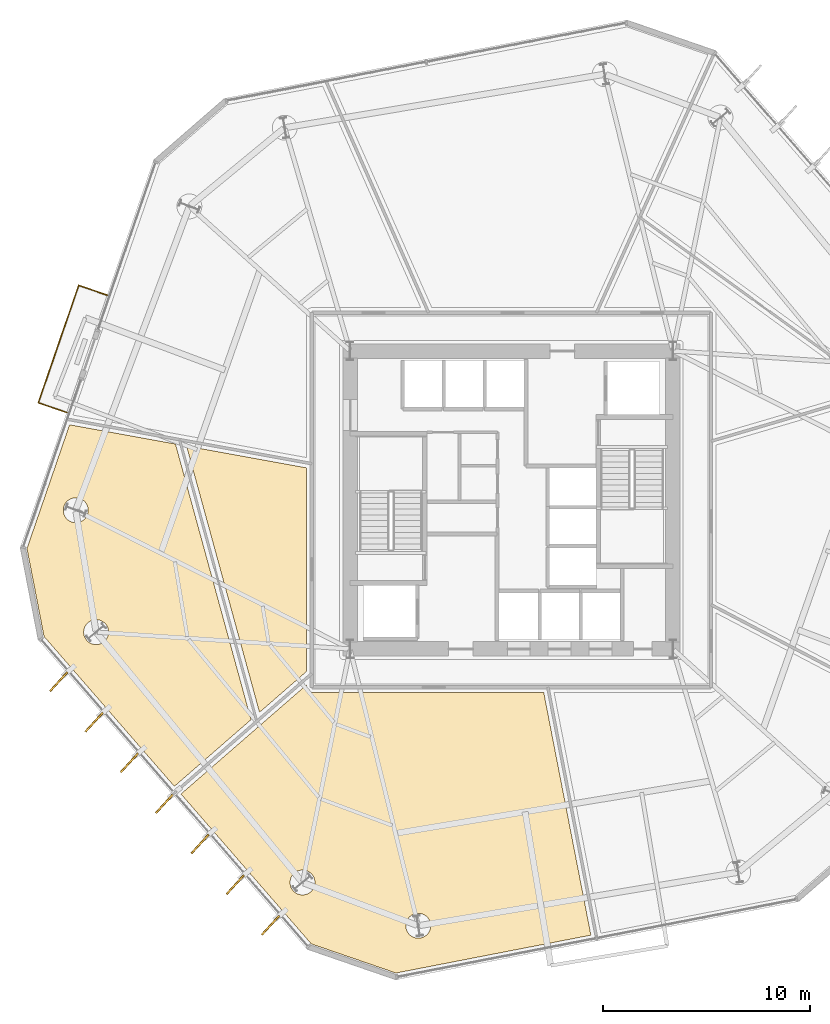
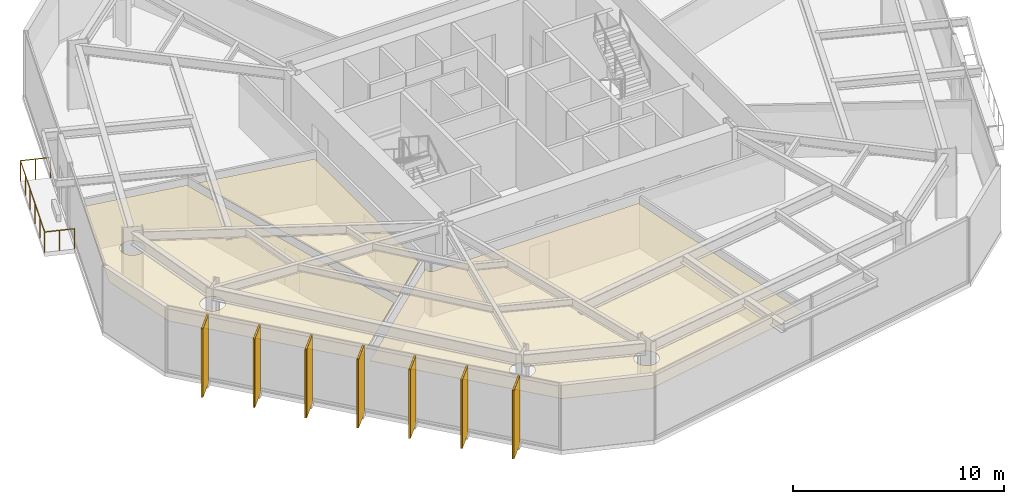
# One storey, part 8 of 10: 10 coverings, 7 shading devices, 1 railing.
"""IFC4 building model written with IfcOpenShell, lengths in metres."""

import ifcopenshell
import ifcopenshell.guid

model = None  # the IFC model being written
_history = None  # IfcOwnerHistory: only IFC2X3 demands one
_inside = {}  # id of a spatial element -> (the spatial element, [elements in it])
_under = {}  # id of a project, library or spatial element -> (it, [spatial elements below it])
_declared = {}  # id of a project -> (the project, [libraries it declares])
_typed = {}  # id of a type object -> (the type object, [elements of that type])
_made_of = {}  # id of a material, layer set ... -> (it, [elements and type objects made of it])


def new_model(schema):
    """Start an empty IFC model of exactly this schema.

    Asked for "IFC4X3", IfcOpenShell would pick the latest addendum, in which some entities
    have other attributes; the version numbers below select the first issue.
    IFC2X3 requires an IfcOwnerHistory on every rooted entity: one is made here for all.
    """
    global model, _history
    if schema == "IFC4X3":
        model = ifcopenshell.file(schema_version=(4, 3, 0, 0))
    else:
        model = ifcopenshell.file(schema=schema)
    _inside.clear()
    _under.clear()
    _declared.clear()
    _typed.clear()
    _made_of.clear()
    _history = None
    if model.schema == "IFC2X3":
        org = make("IfcOrganization", Name="unknown")
        user = make(
            "IfcPersonAndOrganization",
            ThePerson=make("IfcPerson", FamilyName="unknown"),
            TheOrganization=org,
        )
        app = make(
            "IfcApplication",
            ApplicationDeveloper=org,
            Version="unknown",
            ApplicationFullName="unknown",
            ApplicationIdentifier="unknown",
        )
        _history = make(
            "IfcOwnerHistory",
            OwningUser=user,
            OwningApplication=app,
            ChangeAction="ADDED",
            CreationDate=0,
        )
    return model


def make(cls, **values):
    """One entity of the class cls with the attributes given. An attribute that is None is left unset."""
    return model.create_entity(
        cls, **{name: value for name, value in values.items() if value is not None}
    )


def rooted(cls, **values):
    """An entity with a GlobalId (a new one), such as an element, a storey or a relation."""
    return make(cls, GlobalId=ifcopenshell.guid.new(), OwnerHistory=_history, **values)


def si_unit(unit_type, name, prefix=None):
    """IfcSIUnit, for example si_unit("LENGTHUNIT", "METRE", prefix="MILLI")."""
    return make("IfcSIUnit", UnitType=unit_type, Prefix=prefix, Name=name)


def assignment(units):
    """IfcUnitAssignment: the units of a project."""
    return None if units is None else make("IfcUnitAssignment", Units=units)


def point(xyz):
    """IfcCartesianPoint."""
    return None if xyz is None else make("IfcCartesianPoint", Coordinates=xyz)


def direction(xyz):
    """IfcDirection."""
    return None if xyz is None else make("IfcDirection", DirectionRatios=xyz)


def frame(location, z_axis=None, x_axis=None):
    """IfcAxis2Placement3D, a coordinate frame: its origin and axes. An axis left out is left unset."""
    return make(
        "IfcAxis2Placement3D",
        Location=point(location),
        Axis=direction(z_axis),
        RefDirection=direction(x_axis),
    )


def frame_2d(location, x_axis=None):
    """IfcAxis2Placement2D, a coordinate frame in the plane: its origin and x axis."""
    return make(
        "IfcAxis2Placement2D", Location=point(location), RefDirection=direction(x_axis)
    )


def origin():
    """The frame at (0, 0, 0) with its axes left unset."""
    return frame((0.0, 0.0, 0.0))


def origin_2d():
    """The frame at (0, 0) in the plane with its x axis left unset."""
    return frame_2d((0.0, 0.0))


def place(relative_to, where):
    """IfcLocalPlacement: puts the frame where relative to a parent placement (None: the world)."""
    return make(
        "IfcLocalPlacement", PlacementRelTo=relative_to, RelativePlacement=where
    )


def context(
    kind, dimensions, precision=None, world=None, true_north=None, identifier=None
):
    """IfcGeometricRepresentationContext, for example the 3D "Model" context."""
    return make(
        "IfcGeometricRepresentationContext",
        ContextIdentifier=identifier,
        ContextType=kind,
        CoordinateSpaceDimension=dimensions,
        Precision=precision,
        WorldCoordinateSystem=world,
        TrueNorth=true_north,
    )


def subcontext(parent, identifier, kind, view, scale=None):
    """IfcGeometricRepresentationSubContext, for example "Body" below "Model"."""
    return make(
        "IfcGeometricRepresentationSubContext",
        ContextIdentifier=identifier,
        ContextType=kind,
        ParentContext=parent,
        TargetScale=scale,
        TargetView=view,
    )


def project(units=None, contexts=None):
    """IfcProject with its units and contexts."""
    return rooted(
        "IfcProject",
        Name="project",
        RepresentationContexts=contexts,
        UnitsInContext=assignment(units),
    )


def spatial(cls, under=None, at=None, **own):
    """A site, building, storey or space (cls), placed at a placement, below another one or the project."""
    s = rooted(cls, ObjectPlacement=at, **own)
    if under is not None:
        _under.setdefault(under.id(), (under, []))[1].append(s)
    return s


def polyline(points):
    """IfcPolyline through the points."""
    return make("IfcPolyline", Points=[point(p) for p in points])


def profile(cls, at=None, kind="AREA", **sizes):
    """A parametric profile (cls). Its sizes go by their IFC names, for example OverallWidth=200.0."""
    return make(cls, ProfileType=kind, Position=at, **sizes)


def rectangle(**sizes):
    """IfcRectangleProfileDef."""
    return profile("IfcRectangleProfileDef", **sizes)


def circle(**sizes):
    """IfcCircleProfileDef."""
    return profile("IfcCircleProfileDef", **sizes)


def outline(outer, holes=None, kind="AREA"):
    """IfcArbitraryClosedProfileDef: a profile drawn as a closed curve; with holes, ...WithVoids."""
    if holes is None:
        return make("IfcArbitraryClosedProfileDef", ProfileType=kind, OuterCurve=outer)
    return make(
        "IfcArbitraryProfileDefWithVoids",
        ProfileType=kind,
        OuterCurve=outer,
        InnerCurves=holes,
    )


def extrude(swept, where, along, depth):
    """IfcExtrudedAreaSolid: the profile swept, set in the frame where, extruded along a direction by depth."""
    return make(
        "IfcExtrudedAreaSolid",
        SweptArea=swept,
        Position=where,
        ExtrudedDirection=direction(along),
        Depth=depth,
    )


def shape(context_of_items, identifier, shape_type, items):
    """IfcShapeRepresentation: the items that make up one representation, for example the "Body"."""
    return make(
        "IfcShapeRepresentation",
        ContextOfItems=context_of_items,
        RepresentationIdentifier=identifier,
        RepresentationType=shape_type,
        Items=items,
    )


def material(Name=None, Category=None):
    """IfcMaterial."""
    return make("IfcMaterial", Name=Name, Category=Category)


def layer(
    of_material, thickness, ventilated=None, Name=None, Category=None, Priority=None
):
    """IfcMaterialLayer: one layer of a wall or slab, of a material (None: an air gap)."""
    return make(
        "IfcMaterialLayer",
        Material=of_material,
        LayerThickness=thickness,
        IsVentilated=ventilated,
        Name=Name,
        Category=Category,
        Priority=Priority,
    )


def layer_set(layers, Name=None):
    """IfcMaterialLayerSet."""
    return make("IfcMaterialLayerSet", MaterialLayers=layers, LayerSetName=Name)


def made_of(thing, what):
    """Note that an element or type object is made of a material, layer set ...; save() writes the relation."""
    if what is not None:
        _made_of.setdefault(what.id(), (what, []))[1].append(thing)
    return thing


def type_object(cls, material=None, **own):
    """A type object (cls), such as IfcWallType, which elements share."""
    return made_of(rooted(cls, **own), material)


def element(
    cls,
    number,
    at=None,
    inside=None,
    cuts=None,
    type_object=None,
    material=None,
    context=None,
    identifier="Body",
    shape_type=None,
    held_by="IfcProductDefinitionShape",
    body=None,
    shapes=None,
    **own,
):
    """One element of the class cls, such as IfcWall. Its Tag is "e" and its number.

    at: its placement. inside: the storey or other place that contains it. cuts: it is an
    opening in that element (IfcRelVoidsElement). A single representation is given by context,
    identifier, shape_type and body (its items); several are given by shapes. held_by: the class
    of the entity that holds the representations. save() writes the other relations.
    """
    e = rooted(cls, Tag="e%d" % number, ObjectPlacement=at, **own)
    if body is not None:
        shapes = [shape(context, identifier, shape_type, body)]
    if shapes is not None:
        e.Representation = make(held_by, Representations=shapes)
    if inside is not None:
        _inside.setdefault(inside.id(), (inside, []))[1].append(e)
    if cuts is not None:
        rooted(
            "IfcRelVoidsElement", RelatingBuildingElement=cuts, RelatedOpeningElement=e
        )
    if type_object is not None:
        _typed.setdefault(type_object.id(), (type_object, []))[1].append(e)
    return made_of(e, material)


def aggregate(whole, parts):
    """IfcRelAggregates: a whole, such as a stair, and the parts it consists of."""
    return rooted("IfcRelAggregates", RelatingObject=whole, RelatedObjects=parts)


def save(model, path):
    """Write the relations noted so far, then the file.

    IfcRelAggregates (storeys below a building ...), IfcRelContainedInSpatialStructure (elements
    in a storey), IfcRelDefinesByType, IfcRelAssociatesMaterial and IfcRelDeclares: one each for
    every whole, place, type object, material and project.
    """
    for whole, parts in _under.values():
        aggregate(whole, parts)
    for where, things in _inside.values():
        rooted(
            "IfcRelContainedInSpatialStructure",
            RelatedElements=things,
            RelatingStructure=where,
        )
    for kind, things in _typed.values():
        rooted("IfcRelDefinesByType", RelatedObjects=things, RelatingType=kind)
    for what, things in _made_of.values():
        rooted("IfcRelAssociatesMaterial", RelatedObjects=things, RelatingMaterial=what)
    for by, libraries in _declared.values():
        rooted("IfcRelDeclares", RelatingContext=by, RelatedDefinitions=libraries)
    model.write(path)


model = new_model("IFC4")

# Units and contexts
model_context = context("Model", 3, precision=1e-05, world=origin(), true_north=direction((0.0, 1.0)))
body_context = subcontext(model_context, "Body", "Model", "MODEL_VIEW")
ifc_project = project(units=[si_unit("LENGTHUNIT", "METRE"), si_unit("AREAUNIT", "SQUARE_METRE"), si_unit("VOLUMEUNIT", "CUBIC_METRE"), si_unit("PLANEANGLEUNIT", "RADIAN"), si_unit("MASSUNIT", "GRAM", prefix="KILO")], contexts=[model_context])

# Site, building, storey
site_placement = place(None, origin())
site = spatial("IfcSite", under=ifc_project, at=site_placement, CompositionType="ELEMENT")
building_placement = place(site_placement, origin())
building = spatial("IfcBuilding", under=site, at=building_placement, Name="Kranzbogen Civic Tower", CompositionType="ELEMENT")
storey_placement = place(building_placement, frame((0.0, 0.0, 64.0)))
storey = spatial("IfcBuildingStorey", under=building, at=storey_placement, Name="L15", CompositionType="ELEMENT", Elevation=64.0)

# Coverings
ifc_material_1 = material(Name="Pale Anodised Aluminium", Category="aluminium")
ifc_layer_1 = layer(ifc_material_1, 0.02490234375, Name="Pale Anodised Aluminium")
ifc_layer_set_1 = layer_set([ifc_layer_1], Name="Pale Anodised Aluminium")
covering_type_1 = type_object("IfcCoveringType", Name="Anodised Aluminium Vertical Fin Cladding 25 mm", PredefinedType="CLADDING", material=ifc_layer_set_1)
for number, where, z_axis, x_axis, name in (
    (1, (3.1220703125, 16.221923828125, -0.139892578125), (0.0, 0.0, 1.0), (-0.674624535311, -0.738161050419, 0.0), "L15 vertical fin pale-metal cladding F4-1"),
    (2, (4.827880859375, 14.259033203125, -0.139892578125), (0.0, 0.0, 1.0), (-0.674624535311, -0.738161050419, 0.0), "L15 vertical fin pale-metal cladding F4-2"),
    (3, (6.532958984375, 12.297119140625, -0.139892578125), (0.0, 0.0, 1.0), (-0.674624535311, -0.738161050419, 0.0), "L15 vertical fin pale-metal cladding F4-3"),
    (4, (8.239013671875, 10.3349609375, -0.139892578125), (0.0, 0.0, 1.0), (-0.674624535311, -0.738161050419, 0.0), "L15 vertical fin pale-metal cladding F4-4"),
    (5, (9.945068359375, 8.373046875, -0.139892578125), (0.0, 0.0, 1.0), (-0.674624535311, -0.738161050419, 0.0), "L15 vertical fin pale-metal cladding F4-5"),
    (6, (11.65087890625, 6.409912109375, -0.139892578125), (0.0, 0.0, 1.0), (-0.674624535311, -0.738161050419, 0.0), "L15 vertical fin pale-metal cladding F4-6"),
    (7, (13.35595703125, 4.447998046875, -0.139892578125), (0.0, 0.0, 1.0), (-0.674624535311, -0.738161050419, 0.0), "L15 vertical fin pale-metal cladding F4-7"),
):
    element("IfcCovering", number, at=place(storey_placement, frame(where, z_axis=z_axis, x_axis=x_axis)), inside=storey, type_object=covering_type_1, Name=name, PredefinedType="CLADDING", context=body_context, shape_type="SweptSolid", body=[
        extrude(rectangle(XDim=1.25, YDim=0.10009765625, at=origin_2d()), origin(), (0.0, 0.0, 1.0), 3.9599609375),
    ])

# Shading devices
ifc_material_2 = material(Name="Anodised Bronze Aluminium", Category="aluminium")
shading_device_type = type_object("IfcShadingDeviceType", Name="Anodised Bronze Vertical Facade Fin 1250x80", PredefinedType="USERDEFINED", material=ifc_material_2)
for number, where, z_axis, x_axis, name in (
    (8, (3.1220703125, 16.221923828125, -0.139892578125), (0.0, 0.0, 1.0), (-0.674624535311, -0.738161050419, 0.0), "L15 vertical exterior shading fin F4-1"),
    (9, (4.827880859375, 14.259033203125, -0.139892578125), (0.0, 0.0, 1.0), (-0.674624535311, -0.738161050419, 0.0), "L15 vertical exterior shading fin F4-2"),
    (10, (6.532958984375, 12.297119140625, -0.139892578125), (0.0, 0.0, 1.0), (-0.674624535311, -0.738161050419, 0.0), "L15 vertical exterior shading fin F4-3"),
    (11, (8.239013671875, 10.3349609375, -0.139892578125), (0.0, 0.0, 1.0), (-0.674624535311, -0.738161050419, 0.0), "L15 vertical exterior shading fin F4-4"),
    (12, (9.945068359375, 8.373046875, -0.139892578125), (0.0, 0.0, 1.0), (-0.674624535311, -0.738161050419, 0.0), "L15 vertical exterior shading fin F4-5"),
    (13, (11.65087890625, 6.409912109375, -0.139892578125), (0.0, 0.0, 1.0), (-0.674624535311, -0.738161050419, 0.0), "L15 vertical exterior shading fin F4-6"),
    (14, (13.35595703125, 4.447998046875, -0.139892578125), (0.0, 0.0, 1.0), (-0.674624535311, -0.738161050419, 0.0), "L15 vertical exterior shading fin F4-7"),
):
    element("IfcShadingDevice", number, at=place(storey_placement, frame(where, z_axis=z_axis, x_axis=x_axis)), inside=storey, type_object=shading_device_type, Name=name, ObjectType="FIN", PredefinedType="USERDEFINED", context=body_context, shape_type="SweptSolid", body=[
        extrude(rectangle(XDim=1.25, YDim=0.080078125, at=origin_2d()), origin(), (0.0, 0.0, 1.0), 3.9599609375),
    ])

# Railing
railing_type = type_object("IfcRailingType", Name="Cantilevered Balcony Glass and Bronze Balustrade 1200", PredefinedType="BALUSTRADE", material=ifc_material_2)
railing_placement = place(storey_placement, frame((5.458984375, 34.90087890625, 0.0)))
element("IfcRailing", 15, at=railing_placement, inside=storey, type_object=railing_type, Name="L15 exterior terrace balustrade L15-TB2", PredefinedType="BALUSTRADE", context=body_context, shape_type="SweptSolid", body=[
    extrude(circle(Radius=0.02392578125, at=origin_2d()), frame((0.0, 0.0, 1.17578125), z_axis=(-0.945505300908, 0.325606704408, 0.0), x_axis=(-0.325606704408, -0.945505300908, 0.0)), (0.0, 0.0, 1.0), 1.4501953125),
    extrude(circle(Radius=0.02392578125, at=origin_2d()), frame((-1.37109375, 0.47216796875, 1.17578125), z_axis=(-0.325490276497, -0.945545387544, 0.0), x_axis=(0.945545387544, -0.325490276497, 0.0)), (0.0, 0.0, 1.0), 5.999755859375),
    extrude(circle(Radius=0.02392578125, at=origin_2d()), frame((-3.323974609375, -5.200927734375, 1.17578125), z_axis=(0.945557123315, -0.325456182224, 0.0), x_axis=(0.325456182224, 0.945557123315, 0.0)), (0.0, 0.0, 1.0), 1.449951171875),
    extrude(circle(Radius=0.02099609375, at=origin_2d()), origin(), (0.0, 0.0, 1.0), 1.15185546875),
    extrude(circle(Radius=0.02099609375, at=origin_2d()), frame((-0.685546875, 0.236083984375, 0.0)), (0.0, 0.0, 1.0), 1.15185546875),
    extrude(circle(Radius=0.02099609375, at=origin_2d()), frame((-1.37109375, 0.47216796875, 0.0)), (0.0, 0.0, 1.0), 1.15185546875),
    extrude(circle(Radius=0.02099609375, at=origin_2d()), frame((-1.76171875, -0.662353515625, 0.0)), (0.0, 0.0, 1.0), 1.15185546875),
    extrude(circle(Radius=0.02099609375, at=origin_2d()), frame((-2.15234375, -1.797119140625, 0.0)), (0.0, 0.0, 1.0), 1.15185546875),
    extrude(circle(Radius=0.02099609375, at=origin_2d()), frame((-2.542724609375, -2.931640625, 0.0)), (0.0, 0.0, 1.0), 1.15185546875),
    extrude(circle(Radius=0.02099609375, at=origin_2d()), frame((-2.933349609375, -4.06640625, 0.0)), (0.0, 0.0, 1.0), 1.15185546875),
    extrude(circle(Radius=0.02099609375, at=origin_2d()), frame((-3.323974609375, -5.200927734375, 0.0)), (0.0, 0.0, 1.0), 1.15185546875),
    extrude(circle(Radius=0.02099609375, at=origin_2d()), frame((-2.638427734375, -5.43701171875, 0.0)), (0.0, 0.0, 1.0), 1.15185546875),
    extrude(circle(Radius=0.02099609375, at=origin_2d()), frame((-1.952880859375, -5.6728515625, 0.0)), (0.0, 0.0, 1.0), 1.15185546875),
])

# Coverings
ifc_material_3 = material(Name="Perforated Acoustic Gypsum Ceiling")
ifc_layer_2 = layer(ifc_material_3, 0.02490234375, Name="Perforated Acoustic Gypsum Ceiling")
ifc_layer_set_2 = layer_set([ifc_layer_2], Name="Perforated Acoustic Gypsum Ceiling")
covering_type_2 = type_object("IfcCoveringType", Name="Perforated Acoustic Mineral Ceiling Tile 25 mm", PredefinedType="CEILING", material=ifc_layer_set_2)
covering_1_placement = place(storey_placement, frame((0.0, 0.0, 2.75)))
element("IfcCovering", 16, at=covering_1_placement, inside=storey, type_object=covering_type_2, Name="L15 Ministerial Policy Office acoustic ceiling", PredefinedType="CEILING", context=body_context, shape_type="SweptSolid", body=[
    extrude(outline(polyline([(15.10498046875, 16.722900390625), (12.822998046875, 14.739013671875), (9.298095703125, 27.60693359375), (15.10498046875, 26.551025390625), (15.10498046875, 16.722900390625)])), origin(), (0.0, 0.0, 1.0), 0.02490234375),
])
covering_2_placement = place(storey_placement, frame((0.0, 0.0, 2.75)))
element("IfcCovering", 17, at=covering_2_placement, inside=storey, type_object=covering_type_2, Name="L15 Directorate Admin Workspace acoustic ceiling", PredefinedType="CEILING", context=body_context, shape_type="SweptSolid", body=[
    extrude(outline(polyline([(3.64501953125, 28.635009765625), (8.762939453125, 27.7041015625), (12.4130859375, 14.383056640625), (8.7080078125, 11.162109375), (2.409912109375, 18.406005859375), (1.5849609375, 22.652099609375), (3.64501953125, 28.635009765625)]), holes=[polyline([(5.48388671875, 18.384033203125), (5.458984375, 18.330078125), (5.428955078125, 18.280029296875), (5.39306640625, 18.23193359375), (5.35400390625, 18.18798828125), (5.31005859375, 18.14892578125), (5.261962890625, 18.113037109375), (5.2119140625, 18.0830078125), (5.157958984375, 18.05810546875), (5.10302734375, 18.0380859375), (5.044921875, 18.02392578125), (4.987060546875, 18.014892578125), (4.927978515625, 18.011962890625), (4.868896484375, 18.014892578125), (4.81103515625, 18.02392578125), (4.7529296875, 18.0380859375), (4.697998046875, 18.05810546875), (4.64404296875, 18.0830078125), (4.593994140625, 18.113037109375), (4.5458984375, 18.14892578125), (4.501953125, 18.18798828125), (4.462890625, 18.23193359375), (4.427001953125, 18.280029296875), (4.39697265625, 18.330078125), (4.3720703125, 18.384033203125), (4.35205078125, 18.43896484375), (4.337890625, 18.4970703125), (4.3291015625, 18.554931640625), (4.325927734375, 18.614013671875), (4.3291015625, 18.673095703125), (4.337890625, 18.73095703125), (4.35205078125, 18.7890625), (4.3720703125, 18.843994140625), (4.39697265625, 18.89794921875), (4.427001953125, 18.947998046875), (4.462890625, 18.99609375), (4.501953125, 19.0400390625), (4.5458984375, 19.0791015625), (4.593994140625, 19.114990234375), (4.64404296875, 19.14501953125), (4.697998046875, 19.169921875), (4.7529296875, 19.18994140625), (4.81103515625, 19.2041015625), (4.868896484375, 19.212890625), (4.927978515625, 19.216064453125), (4.987060546875, 19.212890625), (5.044921875, 19.2041015625), (5.10302734375, 19.18994140625), (5.157958984375, 19.169921875), (5.2119140625, 19.14501953125), (5.261962890625, 19.114990234375), (5.31005859375, 19.0791015625), (5.35400390625, 19.0400390625), (5.39306640625, 18.99609375), (5.428955078125, 18.947998046875), (5.458984375, 18.89794921875), (5.48388671875, 18.843994140625), (5.50390625, 18.7890625), (5.51806640625, 18.73095703125), (5.527099609375, 18.673095703125), (5.530029296875, 18.614013671875), (5.527099609375, 18.554931640625), (5.51806640625, 18.4970703125), (5.50390625, 18.43896484375), (5.48388671875, 18.384033203125)]), polyline([(4.4990234375, 24.27392578125), (4.47412109375, 24.219970703125), (4.444091796875, 24.169921875), (4.407958984375, 24.1220703125), (4.368896484375, 24.077880859375), (4.324951171875, 24.0390625), (4.277099609375, 24.0029296875), (4.22705078125, 23.972900390625), (4.173095703125, 23.947998046875), (4.117919921875, 23.927978515625), (4.06005859375, 23.9140625), (4.001953125, 23.905029296875), (3.943115234375, 23.902099609375), (3.884033203125, 23.905029296875), (3.825927734375, 23.9140625), (3.76806640625, 23.927978515625), (3.712890625, 23.947998046875), (3.658935546875, 23.972900390625), (3.60888671875, 24.0029296875), (3.56103515625, 24.0390625), (3.51708984375, 24.077880859375), (3.47802734375, 24.1220703125), (3.44189453125, 24.169921875), (3.412109375, 24.219970703125), (3.386962890625, 24.27392578125), (3.366943359375, 24.3291015625), (3.35302734375, 24.386962890625), (3.343994140625, 24.445068359375), (3.341064453125, 24.50390625), (3.343994140625, 24.56298828125), (3.35302734375, 24.62109375), (3.366943359375, 24.678955078125), (3.386962890625, 24.73388671875), (3.412109375, 24.7880859375), (3.44189453125, 24.837890625), (3.47802734375, 24.885986328125), (3.51708984375, 24.929931640625), (3.56103515625, 24.968994140625), (3.60888671875, 25.0048828125), (3.658935546875, 25.034912109375), (3.712890625, 25.06005859375), (3.76806640625, 25.080078125), (3.825927734375, 25.093994140625), (3.884033203125, 25.10302734375), (3.943115234375, 25.10595703125), (4.001953125, 25.10302734375), (4.06005859375, 25.093994140625), (4.117919921875, 25.080078125), (4.173095703125, 25.06005859375), (4.22705078125, 25.034912109375), (4.277099609375, 25.0048828125), (4.324951171875, 24.968994140625), (4.368896484375, 24.929931640625), (4.407958984375, 24.885986328125), (4.444091796875, 24.837890625), (4.47412109375, 24.7880859375), (4.4990234375, 24.73388671875), (4.51904296875, 24.678955078125), (4.532958984375, 24.62109375), (4.5419921875, 24.56298828125), (4.544921875, 24.50390625), (4.5419921875, 24.445068359375), (4.532958984375, 24.386962890625), (4.51904296875, 24.3291015625), (4.4990234375, 24.27392578125)])]), origin(), (0.0, 0.0, 1.0), 0.02490234375),
])
covering_3_placement = place(storey_placement, frame((0.0, 0.0, 2.75)))
element("IfcCovering", 18, at=covering_3_placement, inside=storey, type_object=covering_type_2, Name="L15 Refreshment Galley Pantry acoustic ceiling", PredefinedType="CEILING", context=body_context, shape_type="SweptSolid", body=[
    extrude(outline(polyline([(15.325927734375, 3.548095703125), (9.029052734375, 10.7919921875), (15.10498046875, 16.073974609375), (15.10498046875, 15.949951171875), (15.10498046875, 15.94091796875), (15.10595703125, 15.93505859375), (15.10693359375, 15.9169921875), (15.10791015625, 15.910888671875), (15.112060546875, 15.89404296875), (15.113037109375, 15.886962890625), (15.117919921875, 15.8701171875), (15.1201171875, 15.864013671875), (15.126953125, 15.847900390625), (15.1298828125, 15.842041015625), (15.137939453125, 15.826904296875), (15.14208984375, 15.821044921875), (15.15087890625, 15.806884765625), (15.155029296875, 15.802001953125), (15.166015625, 15.7880859375), (15.1708984375, 15.782958984375), (15.18310546875, 15.77099609375), (15.18798828125, 15.76611328125), (15.201904296875, 15.7548828125), (15.20703125, 15.7509765625), (15.220947265625, 15.741943359375), (15.22705078125, 15.738037109375), (15.241943359375, 15.72998046875), (15.248046875, 15.72705078125), (15.263916015625, 15.719970703125), (15.27001953125, 15.718017578125), (15.287109375, 15.712890625), (15.2939453125, 15.7119140625), (15.31103515625, 15.7080078125), (15.31689453125, 15.70703125), (15.3349609375, 15.7060546875), (15.341064453125, 15.705078125), (15.35009765625, 15.705078125), (26.556884765625, 15.705078125), (28.837890625, 3.970947265625), (19.416015625, 2.139892578125), (15.325927734375, 3.548095703125)]), holes=[polyline([(21.051025390625, 4.194091796875), (21.02587890625, 4.139892578125), (20.99609375, 4.090087890625), (20.9599609375, 4.0419921875), (20.9208984375, 3.998046875), (20.876953125, 3.958984375), (20.8291015625, 3.923095703125), (20.779052734375, 3.89306640625), (20.72509765625, 3.867919921875), (20.669921875, 3.847900390625), (20.612060546875, 3.833984375), (20.553955078125, 3.824951171875), (20.4951171875, 3.822021484375), (20.43603515625, 3.824951171875), (20.3779296875, 3.833984375), (20.320068359375, 3.847900390625), (20.264892578125, 3.867919921875), (20.2109375, 3.89306640625), (20.160888671875, 3.923095703125), (20.113037109375, 3.958984375), (20.069091796875, 3.998046875), (20.030029296875, 4.0419921875), (19.993896484375, 4.090087890625), (19.964111328125, 4.139892578125), (19.93896484375, 4.194091796875), (19.9189453125, 4.2490234375), (19.905029296875, 4.306884765625), (19.89599609375, 4.364990234375), (19.89306640625, 4.424072265625), (19.89599609375, 4.48291015625), (19.905029296875, 4.541015625), (19.9189453125, 4.59912109375), (19.93896484375, 4.654052734375), (19.964111328125, 4.7080078125), (19.993896484375, 4.758056640625), (20.030029296875, 4.805908203125), (20.069091796875, 4.85009765625), (20.113037109375, 4.888916015625), (20.160888671875, 4.925048828125), (20.2109375, 4.955078125), (20.264892578125, 4.97998046875), (20.320068359375, 5.0), (20.3779296875, 5.013916015625), (20.43603515625, 5.02294921875), (20.4951171875, 5.02587890625), (20.553955078125, 5.02294921875), (20.612060546875, 5.013916015625), (20.669921875, 5.0), (20.72509765625, 4.97998046875), (20.779052734375, 4.955078125), (20.8291015625, 4.925048828125), (20.876953125, 4.888916015625), (20.9208984375, 4.85009765625), (20.9599609375, 4.805908203125), (20.99609375, 4.758056640625), (21.02587890625, 4.7080078125), (21.051025390625, 4.654052734375), (21.071044921875, 4.59912109375), (21.0849609375, 4.541015625), (21.093994140625, 4.48291015625), (21.096923828125, 4.424072265625), (21.093994140625, 4.364990234375), (21.0849609375, 4.306884765625), (21.071044921875, 4.2490234375), (21.051025390625, 4.194091796875)]), polyline([(15.45703125, 6.285888671875), (15.431884765625, 6.23193359375), (15.402099609375, 6.181884765625), (15.365966796875, 6.134033203125), (15.326904296875, 6.090087890625), (15.282958984375, 6.051025390625), (15.235107421875, 6.014892578125), (15.18505859375, 5.985107421875), (15.131103515625, 5.9599609375), (15.075927734375, 5.93994140625), (15.01806640625, 5.926025390625), (14.9599609375, 5.9169921875), (14.90087890625, 5.9140625), (14.842041015625, 5.9169921875), (14.783935546875, 5.926025390625), (14.72607421875, 5.93994140625), (14.6708984375, 5.9599609375), (14.616943359375, 5.985107421875), (14.56689453125, 6.014892578125), (14.51904296875, 6.051025390625), (14.47509765625, 6.090087890625), (14.43603515625, 6.134033203125), (14.39990234375, 6.181884765625), (14.3701171875, 6.23193359375), (14.344970703125, 6.285888671875), (14.324951171875, 6.341064453125), (14.31103515625, 6.39892578125), (14.302001953125, 6.45703125), (14.299072265625, 6.51611328125), (14.302001953125, 6.574951171875), (14.31103515625, 6.633056640625), (14.324951171875, 6.69091796875), (14.344970703125, 6.74609375), (14.3701171875, 6.800048828125), (14.39990234375, 6.85009765625), (14.43603515625, 6.89794921875), (14.47509765625, 6.94189453125), (14.51904296875, 6.98095703125), (14.56689453125, 7.01708984375), (14.616943359375, 7.047119140625), (14.6708984375, 7.072021484375), (14.72607421875, 7.092041015625), (14.783935546875, 7.10595703125), (14.842041015625, 7.114990234375), (14.90087890625, 7.117919921875), (14.9599609375, 7.114990234375), (15.01806640625, 7.10595703125), (15.075927734375, 7.092041015625), (15.131103515625, 7.072021484375), (15.18505859375, 7.047119140625), (15.235107421875, 7.01708984375), (15.282958984375, 6.98095703125), (15.326904296875, 6.94189453125), (15.365966796875, 6.89794921875), (15.402099609375, 6.85009765625), (15.431884765625, 6.800048828125), (15.45703125, 6.74609375), (15.47705078125, 6.69091796875), (15.490966796875, 6.633056640625), (15.5, 6.574951171875), (15.5029296875, 6.51611328125), (15.5, 6.45703125), (15.490966796875, 6.39892578125), (15.47705078125, 6.341064453125), (15.45703125, 6.285888671875)])]), origin(), (0.0, 0.0, 1.0), 0.02490234375),
])

save(model, "model.ifc")
